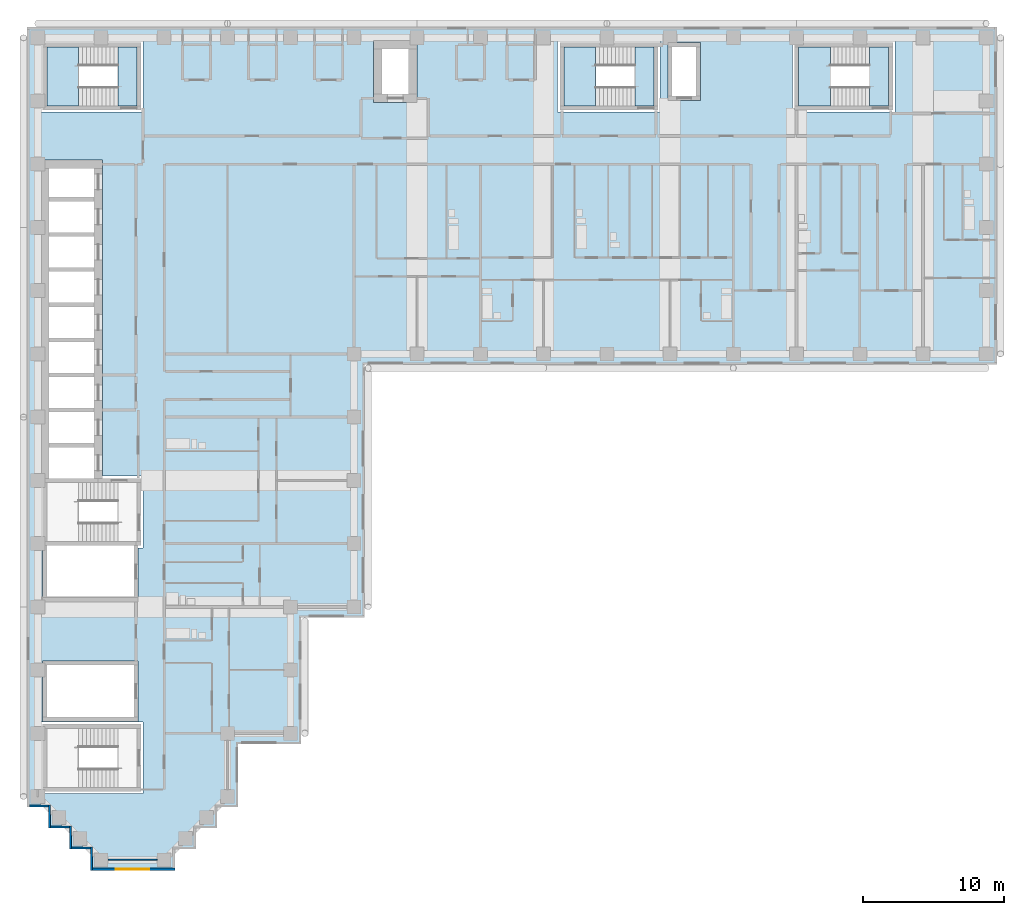
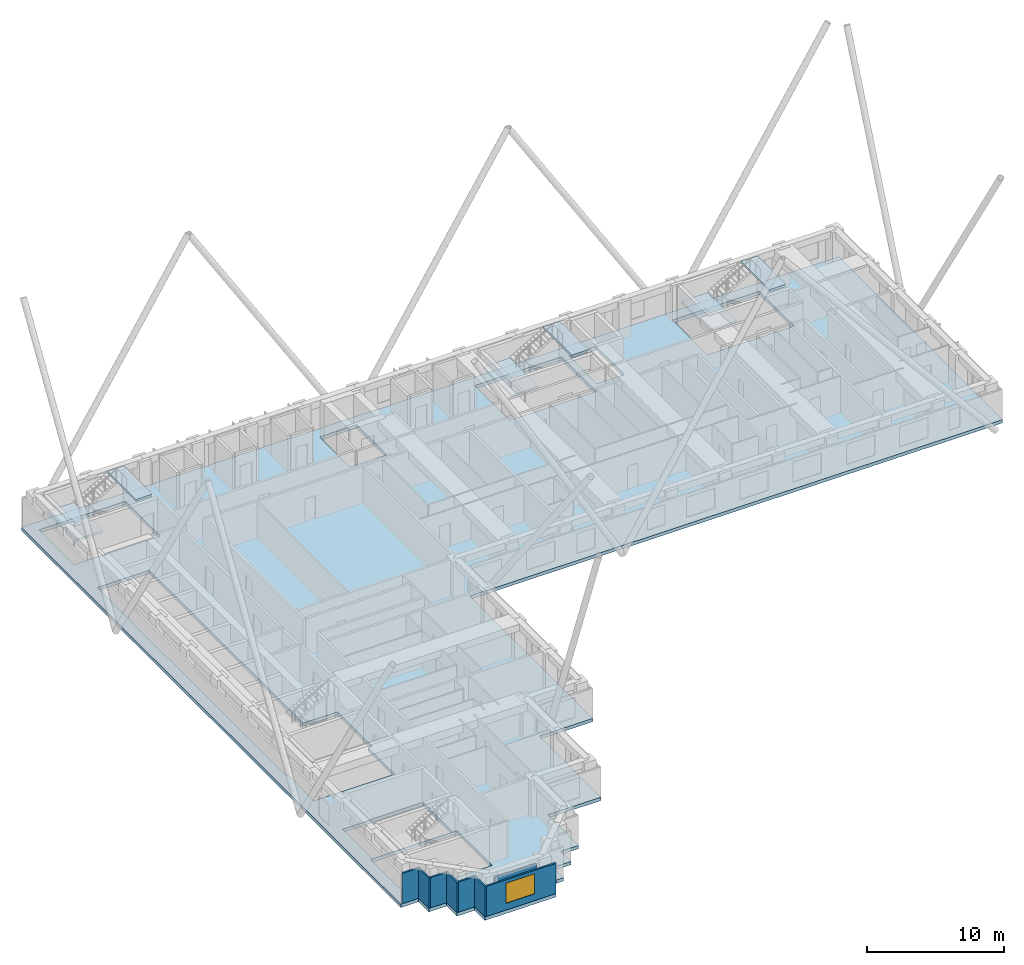
# One storey, part 2 of 13: 8 walls, 7 slabs, 1 window, 1 opening, 3 elements without a shape of their own.
"""IFC4 building model written with IfcOpenShell, lengths in metres."""

from ifc_helpers import new_model, si_unit, direction, frame, frame_2d, origin, place, context, subcontext, project, spatial, polyline, rectangle, outline, extrude, material, layer, layer_set, type_object, element, fill, aggregate, save


model = new_model("IFC4")

# Units and contexts
model_context = context("Model", 3, precision=1e-05, world=origin(), true_north=direction((0.0, 1.0)))
body_context = subcontext(model_context, "Body", "Model", "MODEL_VIEW")
ifc_project = project(units=[si_unit("LENGTHUNIT", "METRE"), si_unit("AREAUNIT", "SQUARE_METRE"), si_unit("VOLUMEUNIT", "CUBIC_METRE"), si_unit("PLANEANGLEUNIT", "RADIAN"), si_unit("MASSUNIT", "GRAM", prefix="KILO")], contexts=[model_context])

# Site, building, storey
site_placement = place(None, origin())
site = spatial("IfcSite", under=ifc_project, at=site_placement, CompositionType="ELEMENT")
building_placement = place(site_placement, origin())
building = spatial("IfcBuilding", under=site, at=building_placement, Name="Firuza Court", CompositionType="ELEMENT")
storey_placement = place(building_placement, frame((0.0, 0.0, 119.60009765625)))
storey = spatial("IfcBuildingStorey", under=building, at=storey_placement, Name="L29", CompositionType="ELEMENT", Elevation=119.60009765625)

# Slab
ifc_material_1 = material(Name="Concrete C40/50", Category="concrete")
ifc_layer_1 = layer(ifc_material_1, 0.300048828125)
ifc_layer_set_1 = layer_set([ifc_layer_1], Name="Concrete C40/50")
slab_type_1 = type_object("IfcSlabType", Name="Floor slab 300 C40/50", PredefinedType="FLOOR", material=ifc_layer_set_1)
slab_1_placement = place(storey_placement, frame((0.0, 0.0, -0.300048828125)))
element("IfcSlab", 1, at=slab_1_placement, inside=storey, type_object=slab_type_1, Name="Floor slab L29", PredefinedType="FLOOR", context=body_context, shape_type="SweptSolid", body=[
    extrude(outline(polyline([(3.75, -0.75), (3.75, 0.75), (2.25, 0.75), (2.25, 2.25), (0.75, 2.25), (0.75, 3.75), (-0.75, 3.75), (-0.75, 59.25), (68.25, 59.25), (68.25, 35.25), (23.25, 35.25), (23.25, 17.25), (18.75, 17.25), (18.75, 8.25), (14.25, 8.25), (14.25, 3.75), (12.75, 3.75), (12.75, 2.25), (11.25, 2.25), (11.25, 0.75), (9.75, 0.75), (9.75, -0.75), (3.75, -0.75)]), holes=[polyline([(0.199951171875, 29.800048828125), (0.199951171875, 29.199951171875), (0.199951171875, 27.300048828125), (0.199951171875, 26.699951171875), (0.199951171875, 22.199951171875), (0.35009765625, 22.199951171875), (0.35009765625, 18.35009765625), (7.14990234375, 18.35009765625), (7.14990234375, 22.199951171875), (7.5, 22.199951171875), (7.5, 27.300048828125), (4.60009765625, 27.300048828125), (4.60009765625, 29.199951171875), (4.60009765625, 29.800048828125), (4.60009765625, 31.699951171875), (4.60009765625, 32.300048828125), (4.60009765625, 34.199951171875), (4.60009765625, 34.800048828125), (4.60009765625, 36.699951171875), (4.60009765625, 37.300048828125), (4.60009765625, 39.199951171875), (4.60009765625, 39.800048828125), (4.60009765625, 41.699951171875), (4.60009765625, 42.300048828125), (4.60009765625, 44.199951171875), (4.60009765625, 44.800048828125), (4.60009765625, 46.699951171875), (4.60009765625, 47.300048828125), (4.60009765625, 49.800048828125), (0.199951171875, 49.800048828125), (0.199951171875, 47.300048828125), (0.199951171875, 46.699951171875), (0.199951171875, 44.800048828125), (0.199951171875, 44.199951171875), (0.199951171875, 42.300048828125), (0.199951171875, 41.699951171875), (0.199951171875, 39.800048828125), (0.199951171875, 39.199951171875), (0.199951171875, 37.300048828125), (0.199951171875, 36.699951171875), (0.199951171875, 34.800048828125), (0.199951171875, 34.199951171875), (0.199951171875, 32.300048828125), (0.199951171875, 31.699951171875), (0.199951171875, 29.800048828125)]), polyline([(7.5, 9.800048828125), (0.199951171875, 9.800048828125), (0.199951171875, 4.699951171875), (7.5, 4.699951171875), (7.5, 9.800048828125)]), polyline([(7.14990234375, 14.14990234375), (0.35009765625, 14.14990234375), (0.35009765625, 9.85009765625), (7.14990234375, 9.85009765625), (7.14990234375, 14.14990234375)]), polyline([(7.5, 58.300048828125), (0.199951171875, 58.300048828125), (0.199951171875, 53.199951171875), (7.5, 53.199951171875), (7.5, 58.300048828125)]), polyline([(44.300048828125, 58.300048828125), (37.0, 58.300048828125), (37.0, 53.199951171875), (44.300048828125, 53.199951171875), (44.300048828125, 58.300048828125)]), polyline([(61.0, 58.300048828125), (53.699951171875, 58.300048828125), (53.699951171875, 53.199951171875), (61.0, 53.199951171875), (61.0, 58.300048828125)]), polyline([(27.0, 53.89990234375), (27.0, 58.300048828125), (23.89990234375, 58.300048828125), (23.89990234375, 53.89990234375), (27.0, 53.89990234375)]), polyline([(47.14990234375, 54.050048828125), (47.14990234375, 58.14990234375), (44.85009765625, 58.14990234375), (44.85009765625, 54.050048828125), (47.14990234375, 54.050048828125)])]), origin(), (0.0, 0.0, 1.0), 0.300048828125),
])

# Stair, slabs
ifc_material_2 = material(Name="Concrete C40/50 precast", Category="concrete")
stair_type = type_object("IfcStairType", Name="Stair 1350 x 3600 2 flights", PredefinedType="HALF_TURN_STAIR", material=ifc_material_2)
stair_1_placement = place(storey_placement, origin())
stair_1 = element("IfcStair", 2, at=stair_1_placement, inside=storey, type_object=stair_type, Name="Stair 1 L29", PredefinedType="HALF_TURN_STAIR")
ifc_material_3 = material(Name="Concrete C40/50 precast", Category="concrete")
ifc_layer_2 = layer(ifc_material_3, 0.199951171875)
ifc_layer_set_2 = layer_set([ifc_layer_2], Name="Concrete C40/50 precast")
slab_type_2 = type_object("IfcSlabType", Name="Stair landing 200", PredefinedType="LANDING", material=ifc_layer_set_2)
slab_2_placement = place(storey_placement, frame((0.0, 0.0, 1.599853515625)))
slab_2 = element("IfcSlab", 3, at=slab_2_placement, type_object=slab_type_2, Name="S1 landing 1", PredefinedType="LANDING", context=body_context, shape_type="SweptSolid", body=[
    extrude(outline(polyline([(39.699951171875, 53.64990234375), (39.699951171875, 57.85009765625), (37.449951171875, 57.85009765625), (37.449951171875, 53.64990234375), (39.699951171875, 53.64990234375)])), origin(), (0.0, 0.0, 1.0), 0.199951171875),
])
slab_3_placement = place(storey_placement, frame((0.0, 0.0, 3.39990234375)))
slab_3 = element("IfcSlab", 4, at=slab_3_placement, type_object=slab_type_2, Name="S1 landing 2", PredefinedType="LANDING", context=body_context, shape_type="SweptSolid", body=[
    extrude(outline(polyline([(43.85009765625, 53.64990234375), (43.85009765625, 57.85009765625), (42.5, 57.85009765625), (42.5, 53.64990234375), (43.85009765625, 53.64990234375)])), origin(), (0.0, 0.0, 1.0), 0.199951171875),
])
aggregate(stair_1, [slab_2, slab_3])

stair_2_placement = place(storey_placement, origin())
stair_2 = element("IfcStair", 5, at=stair_2_placement, inside=storey, type_object=stair_type, Name="Stair 3 L29", PredefinedType="HALF_TURN_STAIR")
slab_4_placement = place(storey_placement, frame((0.0, 0.0, 1.599853515625)))
slab_4 = element("IfcSlab", 6, at=slab_4_placement, type_object=slab_type_2, Name="S3 landing 1", PredefinedType="LANDING", context=body_context, shape_type="SweptSolid", body=[
    extrude(outline(polyline([(2.89990234375, 53.64990234375), (2.89990234375, 57.85009765625), (0.64990234375, 57.85009765625), (0.64990234375, 53.64990234375), (2.89990234375, 53.64990234375)])), origin(), (0.0, 0.0, 1.0), 0.199951171875),
])
slab_5_placement = place(storey_placement, frame((0.0, 0.0, 3.39990234375)))
slab_5 = element("IfcSlab", 7, at=slab_5_placement, type_object=slab_type_2, Name="S3 landing 2", PredefinedType="LANDING", context=body_context, shape_type="SweptSolid", body=[
    extrude(outline(polyline([(7.050048828125, 53.64990234375), (7.050048828125, 57.85009765625), (5.699951171875, 57.85009765625), (5.699951171875, 53.64990234375), (7.050048828125, 53.64990234375)])), origin(), (0.0, 0.0, 1.0), 0.199951171875),
])
aggregate(stair_2, [slab_4, slab_5])

stair_3_placement = place(storey_placement, origin())
stair_3 = element("IfcStair", 8, at=stair_3_placement, inside=storey, type_object=stair_type, Name="Stair 4 L29", PredefinedType="HALF_TURN_STAIR")
slab_6_placement = place(storey_placement, frame((0.0, 0.0, 1.599853515625)))
slab_6 = element("IfcSlab", 9, at=slab_6_placement, type_object=slab_type_2, Name="S4 landing 1", PredefinedType="LANDING", context=body_context, shape_type="SweptSolid", body=[
    extrude(outline(polyline([(56.39990234375, 53.64990234375), (56.39990234375, 57.85009765625), (54.14990234375, 57.85009765625), (54.14990234375, 53.64990234375), (56.39990234375, 53.64990234375)])), origin(), (0.0, 0.0, 1.0), 0.199951171875),
])
slab_7_placement = place(storey_placement, frame((0.0, 0.0, 3.39990234375)))
slab_7 = element("IfcSlab", 10, at=slab_7_placement, type_object=slab_type_2, Name="S4 landing 2", PredefinedType="LANDING", context=body_context, shape_type="SweptSolid", body=[
    extrude(outline(polyline([(60.550048828125, 53.64990234375), (60.550048828125, 57.85009765625), (59.199951171875, 57.85009765625), (59.199951171875, 53.64990234375), (60.550048828125, 53.64990234375)])), origin(), (0.0, 0.0, 1.0), 0.199951171875),
])
aggregate(stair_3, [slab_6, slab_7])

# Walls
ifc_material_4 = material(Name="Timber stud partition, plasterboard both sides", Category="wood")
ifc_layer_3 = layer(ifc_material_4, 0.10009765625)
ifc_layer_set_3 = layer_set([ifc_layer_3], Name="Timber stud partition, plasterboard both sides")
wall_type_1 = type_object("IfcWallType", Name="Partition wall 100", PredefinedType="PARTITIONING", material=ifc_layer_set_3)
wall_1_placement = place(storey_placement, frame((5.0, 0.0, 0.0), z_axis=(0.0, 0.0, 1.0), x_axis=(1.0, 0.0, 0.0)))
element("IfcWall", 11, at=wall_1_placement, inside=storey, type_object=wall_type_1, Name="Partition wall 100 L29", PredefinedType="PARTITIONING", context=body_context, shape_type="SweptSolid", body=[
    extrude(rectangle(XDim=3.5, YDim=0.10009765625, at=frame_2d((1.75, 0.0))), origin(), (0.0, 0.0, 1.0), 2.699951171875),
])
ifc_material_5 = material(Name="Ceramic tile", Category="ceramic")
ifc_layer_4 = layer(ifc_material_5, 0.02001953125)
ifc_material_6 = material(Name="Mineral wool insulation", Category="insulation")
ifc_layer_5 = layer(ifc_material_6, 0.050048828125)
ifc_layer_6 = layer(ifc_material_3, 0.080078125)
ifc_layer_set_4 = layer_set([ifc_layer_4, ifc_layer_5, ifc_layer_6], Name="Concrete C40/50 precast")
wall_type_2 = type_object("IfcWallType", Name="Precast cladding wall with turquoise TILE PANEL face 150", PredefinedType="STANDARD", material=ifc_layer_set_4)
wall_2_placement = place(storey_placement, frame((-0.60009765625, 3.824951171875, 0.0), z_axis=(0.0, 0.0, 1.0), x_axis=(1.0, 0.0, 0.0)))
element("IfcWall", 12, at=wall_2_placement, inside=storey, type_object=wall_type_2, Name="Facade wall L29 S", PredefinedType="STANDARD", context=body_context, shape_type="SweptSolid", body=[
    extrude(rectangle(XDim=1.35009765625, YDim=0.14990234375, at=frame_2d((0.675048828125, 0.0))), origin(), (0.0, 0.0, 1.0), 2.699951171875),
])
wall_3_placement = place(storey_placement, frame((0.824951171875, 3.89990234375, 0.0), z_axis=(0.0, 0.0, 1.0), x_axis=(0.0, -1.0, 0.0)))
element("IfcWall", 13, at=wall_3_placement, inside=storey, type_object=wall_type_2, Name="Facade wall L29 W", PredefinedType="STANDARD", context=body_context, shape_type="SweptSolid", body=[
    extrude(rectangle(XDim=1.64990234375, YDim=0.14990234375, at=frame_2d((0.824951171875, 0.0))), origin(), (0.0, 0.0, 1.0), 2.699951171875),
])
wall_4_placement = place(storey_placement, frame((0.89990234375, 2.324951171875, 0.0), z_axis=(0.0, 0.0, 1.0), x_axis=(1.0, 0.0, 0.0)))
element("IfcWall", 14, at=wall_4_placement, inside=storey, type_object=wall_type_2, Name="Facade wall L29 S", PredefinedType="STANDARD", context=body_context, shape_type="SweptSolid", body=[
    extrude(rectangle(XDim=1.35009765625, YDim=0.14990234375, at=frame_2d((0.675048828125, 0.0))), origin(), (0.0, 0.0, 1.0), 2.699951171875),
])
wall_5_placement = place(storey_placement, frame((2.324951171875, 2.39990234375, 0.0), z_axis=(0.0, 0.0, 1.0), x_axis=(0.0, -1.0, 0.0)))
element("IfcWall", 15, at=wall_5_placement, inside=storey, type_object=wall_type_2, Name="Facade wall L29 W", PredefinedType="STANDARD", context=body_context, shape_type="SweptSolid", body=[
    extrude(rectangle(XDim=1.64990234375, YDim=0.14990234375, at=frame_2d((0.824951171875, 0.0))), origin(), (0.0, 0.0, 1.0), 2.699951171875),
])
wall_6_placement = place(storey_placement, frame((2.39990234375, 0.824951171875, 0.0), z_axis=(0.0, 0.0, 1.0), x_axis=(1.0, 0.0, 0.0)))
element("IfcWall", 16, at=wall_6_placement, inside=storey, type_object=wall_type_2, Name="Facade wall L29 S", PredefinedType="STANDARD", context=body_context, shape_type="SweptSolid", body=[
    extrude(rectangle(XDim=1.35009765625, YDim=0.14990234375, at=frame_2d((0.675048828125, 0.0))), origin(), (0.0, 0.0, 1.0), 2.699951171875),
])
wall_7_placement = place(storey_placement, frame((3.824951171875, 0.89990234375, 0.0), z_axis=(0.0, 0.0, 1.0), x_axis=(0.0, -1.0, 0.0)))
element("IfcWall", 17, at=wall_7_placement, inside=storey, type_object=wall_type_2, Name="Facade wall L29 W", PredefinedType="STANDARD", context=body_context, shape_type="SweptSolid", body=[
    extrude(rectangle(XDim=1.64990234375, YDim=0.14990234375, at=frame_2d((0.824951171875, 0.0))), origin(), (0.0, 0.0, 1.0), 2.699951171875),
])

# Wall, opening, window
wall_8_placement = place(storey_placement, frame((3.89990234375, -0.675048828125, 0.0), z_axis=(0.0, 0.0, 1.0), x_axis=(1.0, 0.0, 0.0)))
wall_8 = element("IfcWall", 18, at=wall_8_placement, inside=storey, type_object=wall_type_2, Name="Facade wall L29 S", PredefinedType="STANDARD", context=body_context, shape_type="SweptSolid", body=[
    extrude(rectangle(XDim=5.85009765625, YDim=0.14990234375, at=frame_2d((2.925048828125, 0.0))), origin(), (0.0, 0.0, 1.0), 2.699951171875),
])
opening_placement = place(wall_8_placement, frame((1.64990234375, 0.0, 0.60009765625)))
opening = element("IfcOpeningElement", 19, at=opening_placement, cuts=wall_8, Name="Opening W1", PredefinedType="OPENING", context=body_context, shape_type="SweptSolid", body=[
    extrude(rectangle(XDim=2.39990234375, YDim=1.800048828125, at=frame_2d((1.199951171875, 0.89990234375))), frame((0.0, 0.0869140625, 0.0), z_axis=(0.0, -1.0, 0.0), x_axis=(1.0, 0.0, 0.0)), (0.0, 0.0, 1.0), 0.173828125),
])
ifc_material_7 = material(Name="Aluminium frame, triple clear glazing", Category="aluminium")
window_type = type_object("IfcWindowType", Name="Window W1 2400 x 1800", PartitioningType="SINGLE_PANEL", PredefinedType="WINDOW", material=ifc_material_7)
window_placement = place(opening_placement, origin())
window = element("IfcWindow", 20, at=window_placement, inside=storey, type_object=window_type, Name="Window L29", OverallHeight=1.800048828125, OverallWidth=2.39990234375, PartitioningType="SINGLE_PANEL", PredefinedType="WINDOW", context=body_context, shape_type="SweptSolid", body=[
    extrude(rectangle(XDim=2.39990234375, YDim=1.800048828125, at=frame_2d((1.199951171875, 0.89990234375))), frame((0.0, 0.030029296875, 0.0), z_axis=(0.0, -1.0, 0.0), x_axis=(1.0, 0.0, 0.0)), (0.0, 0.0, 1.0), 0.06005859375),
])
fill(opening, window)

save(model, "model.ifc")
